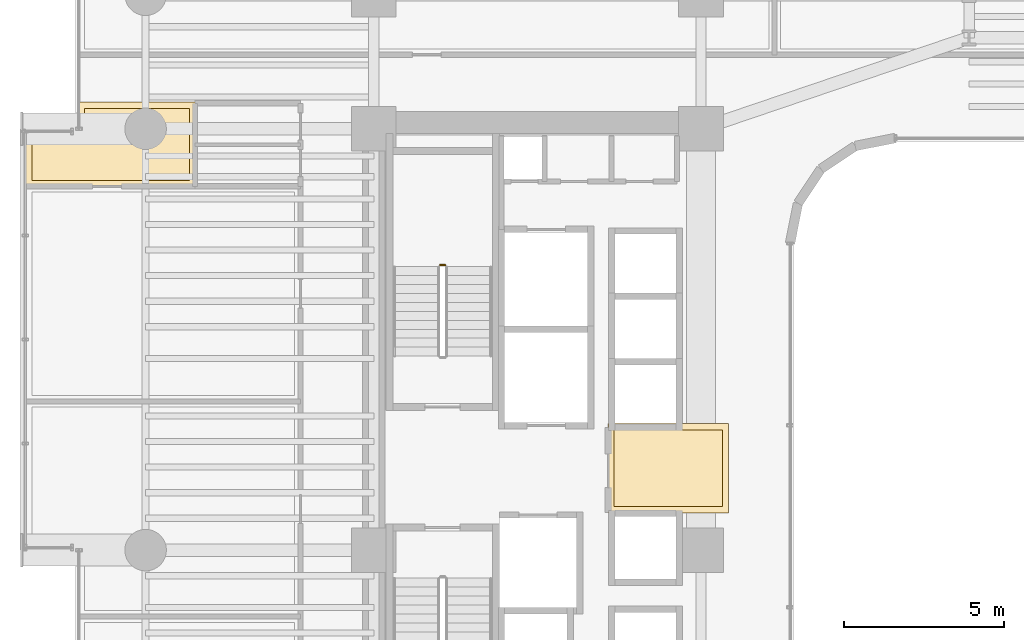
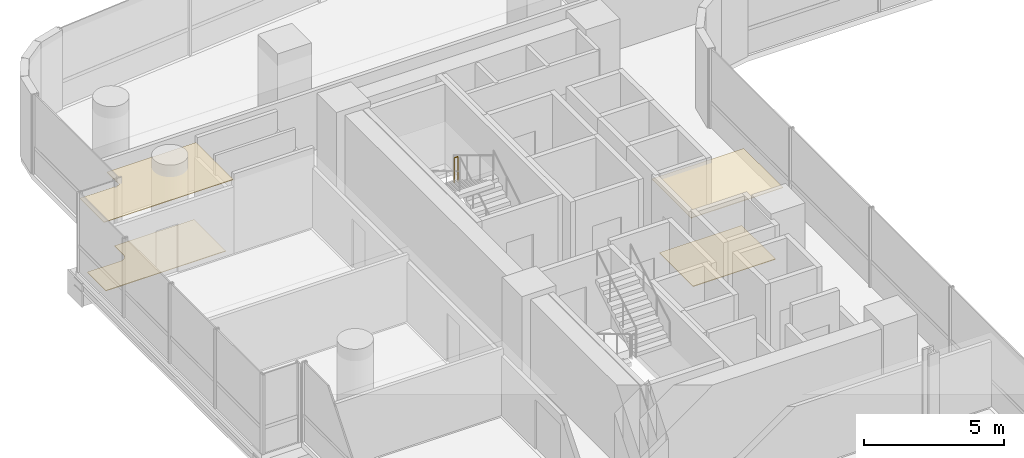
# One storey, part 36 of 39: 4 coverings, 1 railing.
"""IFC4 building model written with IfcOpenShell, lengths in metres."""

from ifc_helpers import new_model, si_unit, direction, frame, origin, origin_2d, place, context, subcontext, project, spatial, polyline, circle, outline, extrude, material, layer, layer_set, type_object, element, save


model = new_model("IFC4")

# Units and contexts
model_context = context("Model", 3, precision=1e-05, world=origin(), true_north=direction((0.0, 1.0)))
body_context = subcontext(model_context, "Body", "Model", "MODEL_VIEW")
ifc_project = project(units=[si_unit("LENGTHUNIT", "METRE"), si_unit("AREAUNIT", "SQUARE_METRE"), si_unit("VOLUMEUNIT", "CUBIC_METRE"), si_unit("PLANEANGLEUNIT", "RADIAN"), si_unit("MASSUNIT", "GRAM", prefix="KILO")], contexts=[model_context])

# Site, building, storey
site_placement = place(None, origin())
site = spatial("IfcSite", under=ifc_project, at=site_placement, CompositionType="ELEMENT")
building_placement = place(site_placement, origin())
building = spatial("IfcBuilding", under=site, at=building_placement, Name="Valdorenza Pilgrim Sanctuary Tower", CompositionType="ELEMENT")
storey_placement = place(building_placement, frame((0.0, 0.0, 70.39990234375)))
storey = spatial("IfcBuildingStorey", under=building, at=storey_placement, Name="L17", CompositionType="ELEMENT", Elevation=70.39990234375)

# Coverings
ifc_material_1 = material(Name="Micro-perforated acoustic mineral ceiling tile", Category="gypsum")
ifc_layer_1 = layer(ifc_material_1, 0.02490234375, Name="Micro-perforated acoustic mineral ceiling tile")
ifc_layer_set_1 = layer_set([ifc_layer_1], Name="Micro-perforated acoustic mineral ceiling tile")
covering_type_1 = type_object("IfcCoveringType", Name="COV-CLG-ACU", PredefinedType="CEILING", material=ifc_layer_set_1)
covering_1_placement = place(storey_placement, frame((0.0, 0.0, 3.16015625)))
element("IfcCovering", 1, at=covering_1_placement, inside=storey, type_object=covering_type_1, Name="L17 Core A Passenger Lift Lobby Acoustic Ceiling", PredefinedType="CEILING", context=body_context, shape_type="SweptSolid", body=[
    extrude(outline(polyline([(-15.31298828125, 1.244384765625), (-15.31298828125, 1.24462890625), (-15.313720703125, 1.24609375), (-15.314208984375, 1.24755859375), (-15.314697265625, 1.2490234375), (-15.31494140625, 1.25048828125), (-15.31494140625, 1.251953125), (-15.31494140625, 1.35009765625), (-15.31494140625, 1.3515625), (-15.314697265625, 1.352783203125), (-15.314453125, 1.3544921875), (-15.31396484375, 1.355712890625), (-15.313232421875, 1.357177734375), (-15.3125, 1.3583984375), (-15.3115234375, 1.359619140625), (-15.310546875, 1.360595703125), (-15.3095703125, 1.361572265625), (-15.308349609375, 1.362548828125), (-15.30712890625, 1.36328125), (-15.3056640625, 1.364013671875), (-15.304443359375, 1.364501953125), (-15.302978515625, 1.36474609375), (-15.301513671875, 1.364990234375), (-15.300048828125, 1.364990234375), (-15.10205078125, 1.364990234375), (-15.1005859375, 1.364990234375), (-15.09912109375, 1.36474609375), (-15.097412109375, 1.3642578125), (-15.09619140625, 1.36376953125), (-15.0947265625, 1.363037109375), (-15.094482421875, 1.363037109375), (-13.185546875, 1.363037109375), (-13.185302734375, 1.363037109375), (-13.183837890625, 1.36376953125), (-13.1826171875, 1.3642578125), (-13.180908203125, 1.36474609375), (-13.179443359375, 1.364990234375), (-13.177978515625, 1.364990234375), (-11.550048828125, 1.364990234375), (-11.548583984375, 1.364990234375), (-11.547119140625, 1.36474609375), (-11.545654296875, 1.364501953125), (-11.544189453125, 1.364013671875), (-11.54296875, 1.36328125), (-11.541748046875, 1.362548828125), (-11.54052734375, 1.361572265625), (-11.539306640625, 1.360595703125), (-11.538330078125, 1.359619140625), (-11.53759765625, 1.3583984375), (-11.536865234375, 1.357177734375), (-11.5361328125, 1.355712890625), (-11.53564453125, 1.3544921875), (-11.535400390625, 1.352783203125), (-11.53515625, 1.3515625), (-11.534912109375, 1.35009765625), (-11.534912109375, -1.419921875), (-11.53515625, -1.42138671875), (-11.535400390625, -1.4228515625), (-11.53564453125, -1.42431640625), (-11.5361328125, -1.42578125), (-11.536865234375, -1.427001953125), (-11.53759765625, -1.42822265625), (-11.538330078125, -1.429443359375), (-11.539306640625, -1.4306640625), (-11.54052734375, -1.431640625), (-11.541748046875, -1.4326171875), (-11.54296875, -1.43310546875), (-11.544189453125, -1.433837890625), (-11.545654296875, -1.434326171875), (-11.547119140625, -1.434814453125), (-11.548583984375, -1.434814453125), (-11.550048828125, -1.43505859375), (-15.298095703125, -1.43505859375), (-15.299560546875, -1.434814453125), (-15.30078125, -1.434814453125), (-15.302490234375, -1.434326171875), (-15.3037109375, -1.433837890625), (-15.30517578125, -1.43310546875), (-15.306396484375, -1.4326171875), (-15.3076171875, -1.431640625), (-15.30859375, -1.4306640625), (-15.3095703125, -1.429443359375), (-15.310546875, -1.42822265625), (-15.311279296875, -1.427001953125), (-15.31201171875, -1.42578125), (-15.3125, -1.42431640625), (-15.312744140625, -1.4228515625), (-15.31298828125, -1.42138671875), (-15.31298828125, -1.419921875), (-15.31298828125, 1.244384765625)])), origin(), (0.0, 0.0, 1.0), 0.02490234375),
])
covering_2_placement = place(storey_placement, frame((0.0, 0.0, 3.16015625)))
element("IfcCovering", 2, at=covering_2_placement, inside=storey, type_object=covering_type_1, Name="L17 Pilgrim Scholar Office L17-WN Acoustic Ceiling", PredefinedType="CEILING", context=body_context, shape_type="SweptSolid", body=[
    extrude(outline(polyline([(-28.237060546875, 11.39453125), (-28.237060546875, 10.103759765625), (-28.23681640625, 10.10302734375), (-28.23681640625, 10.1015625), (-28.23681640625, 10.10009765625), (-28.23681640625, 10.098388671875), (-28.237060546875, 10.09814453125), (-28.237060546875, 8.800048828125), (-28.237060546875, 8.798583984375), (-28.2373046875, 8.797119140625), (-28.237548828125, 8.795654296875), (-28.238037109375, 8.794189453125), (-28.23876953125, 8.79296875), (-28.239501953125, 8.791748046875), (-28.240478515625, 8.79052734375), (-28.241455078125, 8.789306640625), (-28.242431640625, 8.788330078125), (-28.24365234375, 8.78759765625), (-28.244873046875, 8.786865234375), (-28.246337890625, 8.7861328125), (-28.24755859375, 8.78564453125), (-28.2490234375, 8.785400390625), (-28.25048828125, 8.78515625), (-28.251953125, 8.784912109375), (-33.5400390625, 8.784912109375), (-33.54150390625, 8.78515625), (-33.54296875, 8.785400390625), (-33.54443359375, 8.78564453125), (-33.545654296875, 8.7861328125), (-33.547119140625, 8.786865234375), (-33.54833984375, 8.78759765625), (-33.549560546875, 8.788330078125), (-33.550537109375, 8.789306640625), (-33.551513671875, 8.79052734375), (-33.552490234375, 8.791748046875), (-33.55322265625, 8.79296875), (-33.553955078125, 8.794189453125), (-33.554443359375, 8.795654296875), (-33.5546875, 8.797119140625), (-33.554931640625, 8.798583984375), (-33.554931640625, 8.800048828125), (-33.554931640625, 10.489990234375), (-33.554931640625, 10.491455078125), (-33.5546875, 10.492919921875), (-33.554443359375, 10.494384765625), (-33.553955078125, 10.49560546875), (-33.55322265625, 10.4970703125), (-33.552490234375, 10.498291015625), (-33.551513671875, 10.49951171875), (-33.550537109375, 10.50048828125), (-33.549560546875, 10.501708984375), (-33.54833984375, 10.50244140625), (-33.547119140625, 10.503173828125), (-33.545654296875, 10.50390625), (-33.54443359375, 10.50439453125), (-33.54296875, 10.504638671875), (-33.54150390625, 10.5048828125), (-33.5400390625, 10.5048828125), (-32.00048828125, 10.5048828125), (-31.99072265625, 10.505615234375), (-31.9814453125, 10.5068359375), (-31.972412109375, 10.509033203125), (-31.963623046875, 10.51220703125), (-31.955078125, 10.51611328125), (-31.947265625, 10.52099609375), (-31.939697265625, 10.526611328125), (-31.932861328125, 10.53271484375), (-31.926513671875, 10.539794921875), (-31.9208984375, 10.547119140625), (-31.916259765625, 10.55517578125), (-31.912109375, 10.563720703125), (-31.9091796875, 10.572509765625), (-31.90673828125, 10.58154296875), (-31.905517578125, 10.5908203125), (-31.905029296875, 10.600341796875), (-31.905029296875, 11.419921875), (-31.90478515625, 11.42138671875), (-31.90478515625, 11.4228515625), (-31.904296875, 11.42431640625), (-31.90380859375, 11.42578125), (-31.9033203125, 11.427001953125), (-31.902587890625, 11.42822265625), (-31.901611328125, 11.429443359375), (-31.900634765625, 11.4306640625), (-31.8994140625, 11.431640625), (-31.898193359375, 11.4326171875), (-31.897216796875, 11.43310546875), (-31.895751953125, 11.433837890625), (-31.894287109375, 11.434326171875), (-31.892822265625, 11.434814453125), (-31.8916015625, 11.434814453125), (-31.889892578125, 11.43505859375), (-28.25, 11.43505859375), (-28.24853515625, 11.434814453125), (-28.2470703125, 11.434814453125), (-28.24560546875, 11.434326171875), (-28.244384765625, 11.433837890625), (-28.242919921875, 11.43310546875), (-28.24169921875, 11.4326171875), (-28.240478515625, 11.431640625), (-28.239501953125, 11.4306640625), (-28.23828125, 11.429443359375), (-28.237548828125, 11.42822265625), (-28.23681640625, 11.427001953125), (-28.236083984375, 11.42578125), (-28.235595703125, 11.42431640625), (-28.2353515625, 11.4228515625), (-28.235107421875, 11.42138671875), (-28.235107421875, 11.419921875), (-28.235107421875, 11.402099609375), (-28.235107421875, 11.400390625), (-28.2353515625, 11.39892578125), (-28.235595703125, 11.3974609375), (-28.236083984375, 11.39599609375), (-28.23681640625, 11.394775390625), (-28.237060546875, 11.39453125)])), origin(), (0.0, 0.0, 1.0), 0.02490234375),
])
ifc_material_2 = material(Name="Honed travertine stone flooring", Category="masonry")
ifc_layer_2 = layer(ifc_material_2, 0.030029296875, Name="Honed travertine stone flooring")
ifc_layer_set_2 = layer_set([ifc_layer_2], Name="Honed travertine stone flooring")
covering_type_2 = type_object("IfcCoveringType", Name="COV-FLR-TRV", PredefinedType="FLOORING", material=ifc_layer_set_2)
covering_3_placement = place(storey_placement, origin())
element("IfcCovering", 3, at=covering_3_placement, inside=storey, type_object=covering_type_2, Name="L17 Core A Passenger Lift Lobby Flooring", PredefinedType="FLOORING", context=body_context, shape_type="SweptSolid", body=[
    extrude(outline(polyline([(-15.117919921875, 1.169189453125), (-15.10888671875, 1.168212890625), (-15.10888671875, 1.168212890625), (-15.10009765625, 1.16796875), (-13.179931640625, 1.16796875), (-13.1796875, 1.16796875), (-11.72998046875, 1.169921875), (-11.72998046875, -1.239990234375), (-15.117919921875, -1.239990234375), (-15.117919921875, 1.169189453125)])), origin(), (0.0, 0.0, 1.0), 0.025146484375),
])
covering_4_placement = place(storey_placement, origin())
element("IfcCovering", 4, at=covering_4_placement, inside=storey, type_object=covering_type_2, Name="L17 Pilgrim Scholar Office L17-WN Flooring", PredefinedType="FLOORING", context=body_context, shape_type="SweptSolid", body=[
    extrude(outline(polyline([(-28.431884765625, 11.239990234375), (-28.431884765625, 10.10205078125), (-28.431884765625, 10.10107421875), (-28.431884765625, 10.100341796875), (-28.431884765625, 10.10009765625), (-28.431884765625, 8.97998046875), (-33.360107421875, 8.97998046875), (-33.360107421875, 10.31005859375), (-32.0, 10.31005859375), (-31.9912109375, 10.310302734375), (-31.98046875, 10.310791015625), (-31.962890625, 10.3125), (-31.9521484375, 10.314208984375), (-31.934814453125, 10.3173828125), (-31.92431640625, 10.320068359375), (-31.907470703125, 10.3251953125), (-31.897216796875, 10.328857421875), (-31.880859375, 10.335693359375), (-31.87109375, 10.34033203125), (-31.855712890625, 10.3486328125), (-31.84619140625, 10.35400390625), (-31.831787109375, 10.364013671875), (-31.822998046875, 10.370361328125), (-31.809326171875, 10.381591796875), (-31.80126953125, 10.388916015625), (-31.788818359375, 10.4013671875), (-31.781494140625, 10.4091796875), (-31.7705078125, 10.423095703125), (-31.763916015625, 10.431640625), (-31.754150390625, 10.4462890625), (-31.74853515625, 10.45556640625), (-31.740234375, 10.47119140625), (-31.735595703125, 10.48095703125), (-31.72900390625, 10.497314453125), (-31.725341796875, 10.50732421875), (-31.72021484375, 10.5244140625), (-31.717529296875, 10.534912109375), (-31.714111328125, 10.552001953125), (-31.71240234375, 10.562744140625), (-31.710693359375, 10.580322265625), (-31.710205078125, 10.59130859375), (-31.7099609375, 10.60009765625), (-31.7099609375, 11.239990234375), (-28.431884765625, 11.239990234375)])), origin(), (0.0, 0.0, 1.0), 0.025146484375),
])

# Railing
ifc_material_3 = material(Name="Stainless steel Grade 316", Category="steel")
railing_type = type_object("IfcRailingType", Name="RLG-GRD-1120", PredefinedType="GUARDRAIL", material=ifc_material_3)
railing_placement = place(storey_placement, frame((-20.419921875, 6.330078125, 1.85009765625)))
element("IfcRailing", 5, at=railing_placement, inside=storey, type_object=railing_type, Name="L17 ST-A1 stair guard 2", PredefinedType="GUARDRAIL", context=body_context, shape_type="SweptSolid", body=[
    extrude(circle(Radius=0.02392578125, at=origin_2d()), frame((0.0, 0.0, 1.076171875), z_axis=(-1.0, 0.0, 0.0), x_axis=(0.0, -1.0, 0.0)), (0.0, 0.0, 1.0), 0.150146484375),
    extrude(circle(Radius=0.02099609375, at=origin_2d()), origin(), (0.0, 0.0, 1.0), 1.052001953125),
    extrude(circle(Radius=0.02099609375, at=origin_2d()), frame((-0.150146484375, 0.0, 0.0)), (0.0, 0.0, 1.0), 1.052001953125),
])

save(model, "model.ifc")
